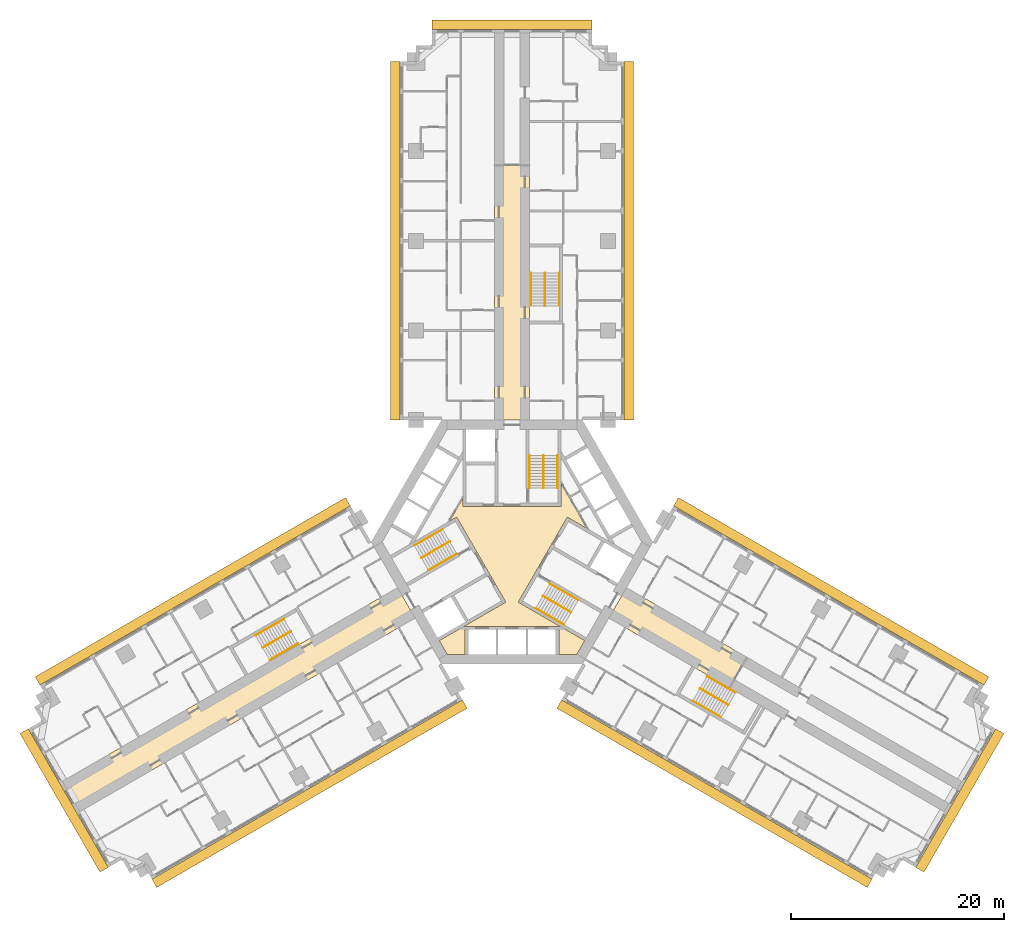
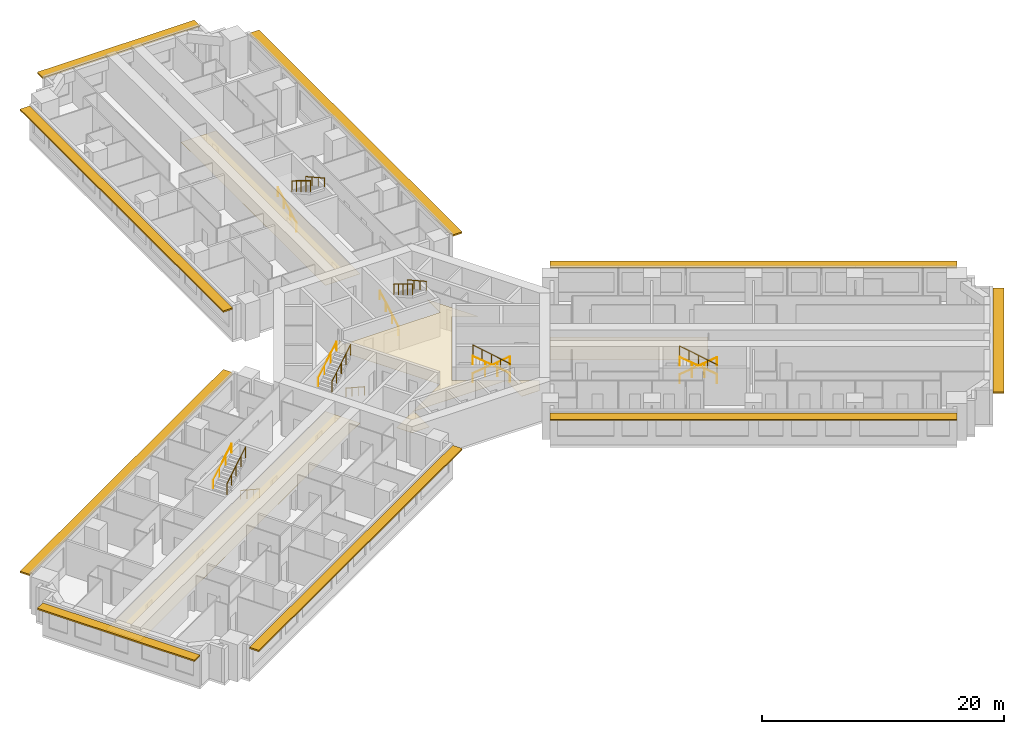
# One storey, part 14 of 14: 18 railings, 4 coverings, 3 shading devices.
"""IFC4 building model written with IfcOpenShell, lengths in metres."""

import ifcopenshell
import ifcopenshell.guid

model = None  # the IFC model being written
_history = None  # IfcOwnerHistory: only IFC2X3 demands one
_inside = {}  # id of a spatial element -> (the spatial element, [elements in it])
_under = {}  # id of a project, library or spatial element -> (it, [spatial elements below it])
_declared = {}  # id of a project -> (the project, [libraries it declares])
_typed = {}  # id of a type object -> (the type object, [elements of that type])
_made_of = {}  # id of a material, layer set ... -> (it, [elements and type objects made of it])


def new_model(schema):
    """Start an empty IFC model of exactly this schema.

    Asked for "IFC4X3", IfcOpenShell would pick the latest addendum, in which some entities
    have other attributes; the version numbers below select the first issue.
    IFC2X3 requires an IfcOwnerHistory on every rooted entity: one is made here for all.
    """
    global model, _history
    if schema == "IFC4X3":
        model = ifcopenshell.file(schema_version=(4, 3, 0, 0))
    else:
        model = ifcopenshell.file(schema=schema)
    _inside.clear()
    _under.clear()
    _declared.clear()
    _typed.clear()
    _made_of.clear()
    _history = None
    if model.schema == "IFC2X3":
        org = make("IfcOrganization", Name="unknown")
        user = make(
            "IfcPersonAndOrganization",
            ThePerson=make("IfcPerson", FamilyName="unknown"),
            TheOrganization=org,
        )
        app = make(
            "IfcApplication",
            ApplicationDeveloper=org,
            Version="unknown",
            ApplicationFullName="unknown",
            ApplicationIdentifier="unknown",
        )
        _history = make(
            "IfcOwnerHistory",
            OwningUser=user,
            OwningApplication=app,
            ChangeAction="ADDED",
            CreationDate=0,
        )
    return model


def make(cls, **values):
    """One entity of the class cls with the attributes given. An attribute that is None is left unset."""
    return model.create_entity(
        cls, **{name: value for name, value in values.items() if value is not None}
    )


def rooted(cls, **values):
    """An entity with a GlobalId (a new one), such as an element, a storey or a relation."""
    return make(cls, GlobalId=ifcopenshell.guid.new(), OwnerHistory=_history, **values)


def si_unit(unit_type, name, prefix=None):
    """IfcSIUnit, for example si_unit("LENGTHUNIT", "METRE", prefix="MILLI")."""
    return make("IfcSIUnit", UnitType=unit_type, Prefix=prefix, Name=name)


def assignment(units):
    """IfcUnitAssignment: the units of a project."""
    return None if units is None else make("IfcUnitAssignment", Units=units)


def point(xyz):
    """IfcCartesianPoint."""
    return None if xyz is None else make("IfcCartesianPoint", Coordinates=xyz)


def direction(xyz):
    """IfcDirection."""
    return None if xyz is None else make("IfcDirection", DirectionRatios=xyz)


def frame(location, z_axis=None, x_axis=None):
    """IfcAxis2Placement3D, a coordinate frame: its origin and axes. An axis left out is left unset."""
    return make(
        "IfcAxis2Placement3D",
        Location=point(location),
        Axis=direction(z_axis),
        RefDirection=direction(x_axis),
    )


def frame_2d(location, x_axis=None):
    """IfcAxis2Placement2D, a coordinate frame in the plane: its origin and x axis."""
    return make(
        "IfcAxis2Placement2D", Location=point(location), RefDirection=direction(x_axis)
    )


def origin():
    """The frame at (0, 0, 0) with its axes left unset."""
    return frame((0.0, 0.0, 0.0))


def origin_2d():
    """The frame at (0, 0) in the plane with its x axis left unset."""
    return frame_2d((0.0, 0.0))


def place(relative_to, where):
    """IfcLocalPlacement: puts the frame where relative to a parent placement (None: the world)."""
    return make(
        "IfcLocalPlacement", PlacementRelTo=relative_to, RelativePlacement=where
    )


def context(
    kind, dimensions, precision=None, world=None, true_north=None, identifier=None
):
    """IfcGeometricRepresentationContext, for example the 3D "Model" context."""
    return make(
        "IfcGeometricRepresentationContext",
        ContextIdentifier=identifier,
        ContextType=kind,
        CoordinateSpaceDimension=dimensions,
        Precision=precision,
        WorldCoordinateSystem=world,
        TrueNorth=true_north,
    )


def subcontext(parent, identifier, kind, view, scale=None):
    """IfcGeometricRepresentationSubContext, for example "Body" below "Model"."""
    return make(
        "IfcGeometricRepresentationSubContext",
        ContextIdentifier=identifier,
        ContextType=kind,
        ParentContext=parent,
        TargetScale=scale,
        TargetView=view,
    )


def project(units=None, contexts=None):
    """IfcProject with its units and contexts."""
    return rooted(
        "IfcProject",
        Name="project",
        RepresentationContexts=contexts,
        UnitsInContext=assignment(units),
    )


def spatial(cls, under=None, at=None, **own):
    """A site, building, storey or space (cls), placed at a placement, below another one or the project."""
    s = rooted(cls, ObjectPlacement=at, **own)
    if under is not None:
        _under.setdefault(under.id(), (under, []))[1].append(s)
    return s


def polyline(points):
    """IfcPolyline through the points."""
    return make("IfcPolyline", Points=[point(p) for p in points])


def profile(cls, at=None, kind="AREA", **sizes):
    """A parametric profile (cls). Its sizes go by their IFC names, for example OverallWidth=200.0."""
    return make(cls, ProfileType=kind, Position=at, **sizes)


def rectangle(**sizes):
    """IfcRectangleProfileDef."""
    return profile("IfcRectangleProfileDef", **sizes)


def circle(**sizes):
    """IfcCircleProfileDef."""
    return profile("IfcCircleProfileDef", **sizes)


def outline(outer, holes=None, kind="AREA"):
    """IfcArbitraryClosedProfileDef: a profile drawn as a closed curve; with holes, ...WithVoids."""
    if holes is None:
        return make("IfcArbitraryClosedProfileDef", ProfileType=kind, OuterCurve=outer)
    return make(
        "IfcArbitraryProfileDefWithVoids",
        ProfileType=kind,
        OuterCurve=outer,
        InnerCurves=holes,
    )


def extrude(swept, where, along, depth):
    """IfcExtrudedAreaSolid: the profile swept, set in the frame where, extruded along a direction by depth."""
    return make(
        "IfcExtrudedAreaSolid",
        SweptArea=swept,
        Position=where,
        ExtrudedDirection=direction(along),
        Depth=depth,
    )


def shape(context_of_items, identifier, shape_type, items):
    """IfcShapeRepresentation: the items that make up one representation, for example the "Body"."""
    return make(
        "IfcShapeRepresentation",
        ContextOfItems=context_of_items,
        RepresentationIdentifier=identifier,
        RepresentationType=shape_type,
        Items=items,
    )


def material(Name=None, Category=None):
    """IfcMaterial."""
    return make("IfcMaterial", Name=Name, Category=Category)


def layer(
    of_material, thickness, ventilated=None, Name=None, Category=None, Priority=None
):
    """IfcMaterialLayer: one layer of a wall or slab, of a material (None: an air gap)."""
    return make(
        "IfcMaterialLayer",
        Material=of_material,
        LayerThickness=thickness,
        IsVentilated=ventilated,
        Name=Name,
        Category=Category,
        Priority=Priority,
    )


def layer_set(layers, Name=None):
    """IfcMaterialLayerSet."""
    return make("IfcMaterialLayerSet", MaterialLayers=layers, LayerSetName=Name)


def made_of(thing, what):
    """Note that an element or type object is made of a material, layer set ...; save() writes the relation."""
    if what is not None:
        _made_of.setdefault(what.id(), (what, []))[1].append(thing)
    return thing


def type_object(cls, material=None, **own):
    """A type object (cls), such as IfcWallType, which elements share."""
    return made_of(rooted(cls, **own), material)


def element(
    cls,
    number,
    at=None,
    inside=None,
    cuts=None,
    type_object=None,
    material=None,
    context=None,
    identifier="Body",
    shape_type=None,
    held_by="IfcProductDefinitionShape",
    body=None,
    shapes=None,
    **own,
):
    """One element of the class cls, such as IfcWall. Its Tag is "e" and its number.

    at: its placement. inside: the storey or other place that contains it. cuts: it is an
    opening in that element (IfcRelVoidsElement). A single representation is given by context,
    identifier, shape_type and body (its items); several are given by shapes. held_by: the class
    of the entity that holds the representations. save() writes the other relations.
    """
    e = rooted(cls, Tag="e%d" % number, ObjectPlacement=at, **own)
    if body is not None:
        shapes = [shape(context, identifier, shape_type, body)]
    if shapes is not None:
        e.Representation = make(held_by, Representations=shapes)
    if inside is not None:
        _inside.setdefault(inside.id(), (inside, []))[1].append(e)
    if cuts is not None:
        rooted(
            "IfcRelVoidsElement", RelatingBuildingElement=cuts, RelatedOpeningElement=e
        )
    if type_object is not None:
        _typed.setdefault(type_object.id(), (type_object, []))[1].append(e)
    return made_of(e, material)


def aggregate(whole, parts):
    """IfcRelAggregates: a whole, such as a stair, and the parts it consists of."""
    return rooted("IfcRelAggregates", RelatingObject=whole, RelatedObjects=parts)


def save(model, path):
    """Write the relations noted so far, then the file.

    IfcRelAggregates (storeys below a building ...), IfcRelContainedInSpatialStructure (elements
    in a storey), IfcRelDefinesByType, IfcRelAssociatesMaterial and IfcRelDeclares: one each for
    every whole, place, type object, material and project.
    """
    for whole, parts in _under.values():
        aggregate(whole, parts)
    for where, things in _inside.values():
        rooted(
            "IfcRelContainedInSpatialStructure",
            RelatedElements=things,
            RelatingStructure=where,
        )
    for kind, things in _typed.values():
        rooted("IfcRelDefinesByType", RelatedObjects=things, RelatingType=kind)
    for what, things in _made_of.values():
        rooted("IfcRelAssociatesMaterial", RelatedObjects=things, RelatingMaterial=what)
    for by, libraries in _declared.values():
        rooted("IfcRelDeclares", RelatingContext=by, RelatedDefinitions=libraries)
    model.write(path)


model = new_model("IFC4")

# Units and contexts
model_context = context("Model", 3, precision=1e-05, world=origin(), true_north=direction((0.0, 1.0)))
body_context = subcontext(model_context, "Body", "Model", "MODEL_VIEW")
ifc_project = project(units=[si_unit("LENGTHUNIT", "METRE"), si_unit("AREAUNIT", "SQUARE_METRE"), si_unit("VOLUMEUNIT", "CUBIC_METRE"), si_unit("PLANEANGLEUNIT", "RADIAN"), si_unit("MASSUNIT", "GRAM", prefix="KILO")], contexts=[model_context])

# Site, building, storey
site_placement = place(None, origin())
site = spatial("IfcSite", under=ifc_project, at=site_placement, CompositionType="ELEMENT")
building_placement = place(site_placement, origin())
building = spatial("IfcBuilding", under=site, at=building_placement, Name="Impinga Residences", CompositionType="ELEMENT")
storey_placement = place(building_placement, frame((0.0, 0.0, 89.75)))
storey = spatial("IfcBuildingStorey", under=building, at=storey_placement, Name="L22", CompositionType="ELEMENT", Elevation=89.75)

# Coverings
ifc_material_1 = material(Name="Plasterboard 15 mm on steel hangers", Category="steel")
ifc_layer_1 = layer(ifc_material_1, 0.014892578125)
ifc_layer_set_1 = layer_set([ifc_layer_1], Name="Plasterboard 15 mm on steel hangers")
covering_type_1 = type_object("IfcCoveringType", Name="CL1 corridor ceiling, 15 mm plasterboard on hangers", PredefinedType="CEILING", material=ifc_layer_set_1)
covering_1_placement = place(storey_placement, frame((0.0, 0.0, 2.39990234375)))
element("IfcCovering", 1, at=covering_1_placement, inside=storey, type_object=covering_type_1, Name="Corridor ceiling CL1 L22-N00", PredefinedType="CEILING", context=body_context, shape_type="SweptSolid", body=[
    extrude(outline(polyline([(1.64990234375, 11.431640625), (-1.64990234375, 11.431640625), (-1.64990234375, 35.281982421875), (1.64990234375, 35.281982421875), (1.64990234375, 11.431640625)])), origin(), (0.0, 0.0, 1.0), 0.01513671875),
])
covering_2_placement = place(storey_placement, frame((0.0, 0.0, 2.39990234375)))
element("IfcCovering", 2, at=covering_2_placement, inside=storey, type_object=covering_type_1, Name="Corridor ceiling CL1 L22-W00", PredefinedType="CEILING", context=body_context, shape_type="SweptSolid", body=[
    extrude(outline(polyline([(-9.074951171875, -7.144775390625), (-10.72509765625, -4.286865234375), (-42.16162109375, -22.436767578125), (-40.51171875, -25.294677734375), (-9.074951171875, -7.144775390625)])), origin(), (0.0, 0.0, 1.0), 0.01513671875),
])
covering_3_placement = place(storey_placement, frame((0.0, 0.0, 2.39990234375)))
element("IfcCovering", 3, at=covering_3_placement, inside=storey, type_object=covering_type_1, Name="Corridor ceiling CL1 L22-E00", PredefinedType="CEILING", context=body_context, shape_type="SweptSolid", body=[
    extrude(outline(polyline([(9.074951171875, -7.144775390625), (10.72509765625, -4.286865234375), (21.999267578125, -10.796142578125), (20.349365234375, -13.654052734375), (9.074951171875, -7.144775390625)])), origin(), (0.0, 0.0, 1.0), 0.01513671875),
])
ifc_material_2 = material(Name="Mineral fibre tiles 20 mm on exposed grid", Category="mineral fibre")
ifc_layer_2 = layer(ifc_material_2, 0.02001953125)
ifc_layer_set_2 = layer_set([ifc_layer_2], Name="CL2 lift lobby ceiling, 20 mm mineral fibre tiles")
covering_type_2 = type_object("IfcCoveringType", Name="CL2 lift lobby ceiling, 20 mm mineral fibre tiles", PredefinedType="CEILING", material=ifc_layer_set_2)
covering_4_placement = place(storey_placement, frame((0.0, 0.0, 2.39990234375)))
element("IfcCovering", 4, at=covering_4_placement, inside=storey, type_object=covering_type_2, Name="Lift lobby ceiling CL2 L22-C01", PredefinedType="CEILING", context=body_context, shape_type="SweptSolid", body=[
    extrude(outline(polyline([(6.080322265625, -10.531494140625), (4.39990234375, -10.531494140625), (4.39990234375, -7.931640625), (-4.39990234375, -7.931640625), (-4.39990234375, -10.531494140625), (-6.080322265625, -10.531494140625), (-6.820556640625, -9.24951171875), (-0.583984375, -5.648681640625), (-5.183837890625, 2.318603515625), (-5.846923828125, 1.935791015625), (-4.60009765625, 4.095703125), (-4.60009765625, 3.330078125), (4.60009765625, 3.330078125), (4.60009765625, 5.49560546875), (7.059326171875, 1.23583984375), (5.183837890625, 2.318603515625), (0.583984375, -5.648681640625), (6.820556640625, -9.24951171875), (6.080322265625, -10.531494140625)])), origin(), (0.0, 0.0, 1.0), 0.02001953125),
])

# Railings
ifc_material_3 = material(Name="Steel guard, powder coated", Category="steel")
railing_type_1 = type_object("IfcRailingType", Name="GR1 stair guard 1100", PredefinedType="GUARDRAIL", material=ifc_material_3)
railing_1_placement = place(storey_placement, frame((2.949951171875, 8.110107421875, 1.875)))
element("IfcRailing", 5, at=railing_1_placement, inside=storey, type_object=railing_type_1, Name="Stair guard GR1 ST1 L22", PredefinedType="GUARDRAIL", context=body_context, shape_type="SweptSolid", body=[
    extrude(circle(Radius=0.02392578125, at=origin_2d()), frame((0.0, 0.0, 1.076171875), z_axis=(0.0, -0.854177636135, 0.519981313056), x_axis=(1.0, 0.0, 0.0)), (0.0, 0.0, 1.0), 3.60595703125),
    extrude(circle(Radius=0.02099609375, at=origin_2d()), origin(), (0.0, 0.0, 1.0), 1.052001953125),
    extrude(circle(Radius=0.02099609375, at=origin_2d()), frame((0.0, -0.77001953125, 0.46875)), (0.0, 0.0, 1.0), 1.052001953125),
    extrude(circle(Radius=0.02099609375, at=origin_2d()), frame((0.0, -1.5400390625, 0.9375)), (0.0, 0.0, 1.0), 1.052001953125),
    extrude(circle(Radius=0.02099609375, at=origin_2d()), frame((0.0, -2.31005859375, 1.40625)), (0.0, 0.0, 1.0), 1.052001953125),
    extrude(circle(Radius=0.02099609375, at=origin_2d()), frame((0.0, -3.080078125, 1.875)), (0.0, 0.0, 1.0), 1.052001953125),
])
railing_2_placement = place(storey_placement, frame((-8.49853515625, -1.500244140625, 1.875)))
element("IfcRailing", 6, at=railing_2_placement, inside=storey, type_object=railing_type_1, Name="Stair guard GR1 ST2 L22", PredefinedType="GUARDRAIL", context=body_context, shape_type="SweptSolid", body=[
    extrude(circle(Radius=0.02392578125, at=origin_2d()), frame((0.0, 0.0, 1.076171875), z_axis=(0.739746383972, 0.427084037168, 0.519975492303), x_axis=(-0.499992328818, 0.866029832698, 0.0)), (0.0, 0.0, 1.0), 3.60595703125),
    extrude(circle(Radius=0.02099609375, at=origin_2d()), origin(), (0.0, 0.0, 1.0), 1.052001953125),
    extrude(circle(Radius=0.02099609375, at=origin_2d()), frame((0.6669921875, 0.385009765625, 0.46875)), (0.0, 0.0, 1.0), 1.052001953125),
    extrude(circle(Radius=0.02099609375, at=origin_2d()), frame((1.333740234375, 0.77001953125, 0.9375)), (0.0, 0.0, 1.0), 1.052001953125),
    extrude(circle(Radius=0.02099609375, at=origin_2d()), frame((2.00048828125, 1.155029296875, 1.40625)), (0.0, 0.0, 1.0), 1.052001953125),
    extrude(circle(Radius=0.02099609375, at=origin_2d()), frame((2.66748046875, 1.5400390625, 1.875)), (0.0, 0.0, 1.0), 1.052001953125),
])
railing_3_placement = place(storey_placement, frame((5.548583984375, -6.60986328125, 1.875)))
element("IfcRailing", 7, at=railing_3_placement, inside=storey, type_object=railing_type_1, Name="Stair guard GR1 ST3 L22", PredefinedType="GUARDRAIL", context=body_context, shape_type="SweptSolid", body=[
    extrude(circle(Radius=0.02392578125, at=origin_2d()), frame((0.0, 0.0, 1.076171875), z_axis=(-0.739746383972, 0.427084037168, 0.519975492303), x_axis=(-0.499992328818, -0.866029832698, 0.0)), (0.0, 0.0, 1.0), 3.60595703125),
    extrude(circle(Radius=0.02099609375, at=origin_2d()), origin(), (0.0, 0.0, 1.0), 1.052001953125),
    extrude(circle(Radius=0.02099609375, at=origin_2d()), frame((-0.6669921875, 0.385009765625, 0.46875)), (0.0, 0.0, 1.0), 1.052001953125),
    extrude(circle(Radius=0.02099609375, at=origin_2d()), frame((-1.333740234375, 0.77001953125, 0.9375)), (0.0, 0.0, 1.0), 1.052001953125),
    extrude(circle(Radius=0.02099609375, at=origin_2d()), frame((-2.00048828125, 1.155029296875, 1.40625)), (0.0, 0.0, 1.0), 1.052001953125),
    extrude(circle(Radius=0.02099609375, at=origin_2d()), frame((-2.66748046875, 1.5400390625, 1.875)), (0.0, 0.0, 1.0), 1.052001953125),
])
railing_4_placement = place(storey_placement, frame((3.10009765625, 25.21142578125, 1.875)))
element("IfcRailing", 8, at=railing_4_placement, inside=storey, type_object=railing_type_1, Name="Stair guard GR1 WS1 L22", PredefinedType="GUARDRAIL", context=body_context, shape_type="SweptSolid", body=[
    extrude(circle(Radius=0.02392578125, at=origin_2d()), frame((0.0, 0.0, 1.076171875), z_axis=(0.0, -0.854159328187, 0.520011386482), x_axis=(1.0, 0.0, 0.0)), (0.0, 0.0, 1.0), 3.605712890625),
    extrude(circle(Radius=0.02099609375, at=origin_2d()), origin(), (0.0, 0.0, 1.0), 1.052001953125),
    extrude(circle(Radius=0.02099609375, at=origin_2d()), frame((0.0, -0.77001953125, 0.46875)), (0.0, 0.0, 1.0), 1.052001953125),
    extrude(circle(Radius=0.02099609375, at=origin_2d()), frame((0.0, -1.5400390625, 0.9375)), (0.0, 0.0, 1.0), 1.052001953125),
    extrude(circle(Radius=0.02099609375, at=origin_2d()), frame((0.0, -2.309814453125, 1.40625)), (0.0, 0.0, 1.0), 1.052001953125),
    extrude(circle(Radius=0.02099609375, at=origin_2d()), frame((0.0, -3.079833984375, 1.875)), (0.0, 0.0, 1.0), 1.052001953125),
])
railing_5_placement = place(storey_placement, frame((-23.3837890625, -9.921142578125, 1.875)))
element("IfcRailing", 9, at=railing_5_placement, inside=storey, type_object=railing_type_1, Name="Stair guard GR1 WS2 L22", PredefinedType="GUARDRAIL", context=body_context, shape_type="SweptSolid", body=[
    extrude(circle(Radius=0.02392578125, at=origin_2d()), frame((0.0, 0.0, 1.076171875), z_axis=(0.739715726454, 0.427105428144, 0.52000153585), x_axis=(-0.500026652407, 0.866010015463, 0.0)), (0.0, 0.0, 1.0), 3.605712890625),
    extrude(circle(Radius=0.02099609375, at=origin_2d()), origin(), (0.0, 0.0, 1.0), 1.052001953125),
    extrude(circle(Radius=0.02099609375, at=origin_2d()), frame((0.666748046875, 0.385009765625, 0.46875)), (0.0, 0.0, 1.0), 1.052001953125),
    extrude(circle(Radius=0.02099609375, at=origin_2d()), frame((1.33349609375, 0.77001953125, 0.9375)), (0.0, 0.0, 1.0), 1.052001953125),
    extrude(circle(Radius=0.02099609375, at=origin_2d()), frame((2.00048828125, 1.155029296875, 1.40625)), (0.0, 0.0, 1.0), 1.052001953125),
    extrude(circle(Radius=0.02099609375, at=origin_2d()), frame((2.667236328125, 1.5400390625, 1.875)), (0.0, 0.0, 1.0), 1.052001953125),
])
railing_6_placement = place(storey_placement, frame((20.283935546875, -15.29052734375, 1.875)))
element("IfcRailing", 10, at=railing_6_placement, inside=storey, type_object=railing_type_1, Name="Stair guard GR1 WS3 L22", PredefinedType="GUARDRAIL", context=body_context, shape_type="SweptSolid", body=[
    extrude(circle(Radius=0.02392578125, at=origin_2d()), frame((0.0, 0.0, 1.076171875), z_axis=(-0.739746383972, 0.427084037168, 0.519975492303), x_axis=(-0.499992328818, -0.866029832698, 0.0)), (0.0, 0.0, 1.0), 3.60595703125),
    extrude(circle(Radius=0.02099609375, at=origin_2d()), origin(), (0.0, 0.0, 1.0), 1.052001953125),
    extrude(circle(Radius=0.02099609375, at=origin_2d()), frame((-0.6669921875, 0.385009765625, 0.46875)), (0.0, 0.0, 1.0), 1.052001953125),
    extrude(circle(Radius=0.02099609375, at=origin_2d()), frame((-1.333740234375, 0.77001953125, 0.9375)), (0.0, 0.0, 1.0), 1.052001953125),
    extrude(circle(Radius=0.02099609375, at=origin_2d()), frame((-2.00048828125, 1.155029296875, 1.40625)), (0.0, 0.0, 1.0), 1.052001953125),
    extrude(circle(Radius=0.02099609375, at=origin_2d()), frame((-2.66748046875, 1.5400390625, 1.875)), (0.0, 0.0, 1.0), 1.052001953125),
])
ifc_material_4 = material(Name="Steel handrail tube 42 mm, powder coated", Category="steel")
railing_type_2 = type_object("IfcRailingType", Name="HR1 stair handrail, 42 mm steel tube, 900 above the pitch line", PredefinedType="HANDRAIL", material=ifc_material_4)
railing_7_placement = place(storey_placement, frame((1.62109375, 5.030029296875, 0.15625)))
element("IfcRailing", 11, at=railing_7_placement, inside=storey, type_object=railing_type_2, Name="Stair handrail HR1 ST1 L22", PredefinedType="HANDRAIL", context=body_context, shape_type="SweptSolid", body=[
    extrude(circle(Radius=0.02099609375, at=origin_2d()), frame((0.0, 0.0, 0.87890625), z_axis=(0.0, 0.873241540666, 0.487287606713), x_axis=(-1.0, 0.0, 0.0)), (0.0, 0.0, 1.0), 3.527099609375),
    extrude(circle(Radius=0.012451171875, at=origin_2d()), origin(), (0.0, 0.0, 1.0), 0.85791015625),
    extrude(circle(Radius=0.012451171875, at=origin_2d()), frame((0.0, 1.026611328125, 0.572998046875)), (0.0, 0.0, 1.0), 0.85791015625),
    extrude(circle(Radius=0.012451171875, at=origin_2d()), frame((0.0, 2.053466796875, 1.145751953125)), (0.0, 0.0, 1.0), 0.85791015625),
    extrude(circle(Radius=0.012451171875, at=origin_2d()), frame((0.0, 3.080078125, 1.71875)), (0.0, 0.0, 1.0), 0.85791015625),
])
railing_8_placement = place(storey_placement, frame((4.279052734375, 8.110107421875, 2.03125)))
element("IfcRailing", 12, at=railing_8_placement, inside=storey, type_object=railing_type_2, Name="Stair handrail HR1 ST1 L22", PredefinedType="HANDRAIL", context=body_context, shape_type="SweptSolid", body=[
    extrude(circle(Radius=0.02099609375, at=origin_2d()), frame((0.0, 0.0, 0.87890625), z_axis=(0.0, -0.873241540666, 0.487287606713), x_axis=(1.0, 0.0, 0.0)), (0.0, 0.0, 1.0), 3.527099609375),
    extrude(circle(Radius=0.012451171875, at=origin_2d()), origin(), (0.0, 0.0, 1.0), 0.85791015625),
    extrude(circle(Radius=0.012451171875, at=origin_2d()), frame((0.0, -1.026611328125, 0.572998046875)), (0.0, 0.0, 1.0), 0.85791015625),
    extrude(circle(Radius=0.012451171875, at=origin_2d()), frame((0.0, -2.053466796875, 1.145751953125)), (0.0, 0.0, 1.0), 0.85791015625),
    extrude(circle(Radius=0.012451171875, at=origin_2d()), frame((0.0, -3.080078125, 1.71875)), (0.0, 0.0, 1.0), 0.85791015625),
])
railing_9_placement = place(storey_placement, frame((-5.16650390625, -1.111083984375, 0.15625)))
element("IfcRailing", 13, at=railing_9_placement, inside=storey, type_object=railing_type_2, Name="Stair handrail HR1 ST2 L22", PredefinedType="HANDRAIL", context=body_context, shape_type="SweptSolid", body=[
    extrude(circle(Radius=0.02099609375, at=origin_2d()), frame((0.0, 0.0, 0.87890625), z_axis=(-0.756255980417, -0.436615662133, 0.487281905742), x_axis=(0.499992328818, -0.866029832698, 0.0)), (0.0, 0.0, 1.0), 3.527099609375),
    extrude(circle(Radius=0.012451171875, at=origin_2d()), origin(), (0.0, 0.0, 1.0), 0.85791015625),
    extrude(circle(Radius=0.012451171875, at=origin_2d()), frame((-0.88916015625, -0.513427734375, 0.572998046875)), (0.0, 0.0, 1.0), 0.85791015625),
    extrude(circle(Radius=0.012451171875, at=origin_2d()), frame((-1.7783203125, -1.026611328125, 1.145751953125)), (0.0, 0.0, 1.0), 0.85791015625),
    extrude(circle(Radius=0.012451171875, at=origin_2d()), frame((-2.66748046875, -1.5400390625, 1.71875)), (0.0, 0.0, 1.0), 0.85791015625),
])
railing_10_placement = place(storey_placement, frame((-9.1630859375, -0.349365234375, 2.03125)))
element("IfcRailing", 14, at=railing_10_placement, inside=storey, type_object=railing_type_2, Name="Stair handrail HR1 ST2 L22", PredefinedType="HANDRAIL", context=body_context, shape_type="SweptSolid", body=[
    extrude(circle(Radius=0.02099609375, at=origin_2d()), frame((0.0, 0.0, 0.87890625), z_axis=(0.756255980417, 0.436615662133, 0.487281905742), x_axis=(-0.499992328818, 0.866029832698, 0.0)), (0.0, 0.0, 1.0), 3.527099609375),
    extrude(circle(Radius=0.012451171875, at=origin_2d()), origin(), (0.0, 0.0, 1.0), 0.85791015625),
    extrude(circle(Radius=0.012451171875, at=origin_2d()), frame((0.88916015625, 0.513427734375, 0.572998046875)), (0.0, 0.0, 1.0), 0.85791015625),
    extrude(circle(Radius=0.012451171875, at=origin_2d()), frame((1.7783203125, 1.026611328125, 1.145751953125)), (0.0, 0.0, 1.0), 0.85791015625),
    extrude(circle(Radius=0.012451171875, at=origin_2d()), frame((2.66748046875, 1.5400390625, 1.71875)), (0.0, 0.0, 1.0), 0.85791015625),
])
railing_11_placement = place(storey_placement, frame((3.545654296875, -3.9189453125, 0.15625)))
element("IfcRailing", 15, at=railing_11_placement, inside=storey, type_object=railing_type_2, Name="Stair handrail HR1 ST3 L22", PredefinedType="HANDRAIL", context=body_context, shape_type="SweptSolid", body=[
    extrude(circle(Radius=0.02099609375, at=origin_2d()), frame((0.0, 0.0, 0.87890625), z_axis=(0.756249203677, -0.436582492228, 0.487322141317), x_axis=(0.499967199496, 0.866044340336, 0.0)), (0.0, 0.0, 1.0), 3.52685546875),
    extrude(circle(Radius=0.012451171875, at=origin_2d()), origin(), (0.0, 0.0, 1.0), 0.85791015625),
    extrude(circle(Radius=0.012451171875, at=origin_2d()), frame((0.88916015625, -0.51318359375, 0.572998046875)), (0.0, 0.0, 1.0), 0.85791015625),
    extrude(circle(Radius=0.012451171875, at=origin_2d()), frame((1.778076171875, -1.026611328125, 1.145751953125)), (0.0, 0.0, 1.0), 0.85791015625),
    extrude(circle(Radius=0.012451171875, at=origin_2d()), frame((2.667236328125, -1.539794921875, 1.71875)), (0.0, 0.0, 1.0), 0.85791015625),
])
railing_12_placement = place(storey_placement, frame((4.884033203125, -7.7607421875, 2.03125)))
element("IfcRailing", 16, at=railing_12_placement, inside=storey, type_object=railing_type_2, Name="Stair handrail HR1 ST3 L22", PredefinedType="HANDRAIL", context=body_context, shape_type="SweptSolid", body=[
    extrude(circle(Radius=0.02099609375, at=origin_2d()), frame((0.0, 0.0, 0.87890625), z_axis=(-0.756255980417, 0.436615662133, 0.487281905742), x_axis=(-0.499992328818, -0.866029832698, 0.0)), (0.0, 0.0, 1.0), 3.527099609375),
    extrude(circle(Radius=0.012451171875, at=origin_2d()), origin(), (0.0, 0.0, 1.0), 0.85791015625),
    extrude(circle(Radius=0.012451171875, at=origin_2d()), frame((-0.88916015625, 0.513427734375, 0.572998046875)), (0.0, 0.0, 1.0), 0.85791015625),
    extrude(circle(Radius=0.012451171875, at=origin_2d()), frame((-1.7783203125, 1.026611328125, 1.145751953125)), (0.0, 0.0, 1.0), 0.85791015625),
    extrude(circle(Radius=0.012451171875, at=origin_2d()), frame((-2.66748046875, 1.5400390625, 1.71875)), (0.0, 0.0, 1.0), 0.85791015625),
])
railing_13_placement = place(storey_placement, frame((1.77099609375, 22.131591796875, 0.15625)))
element("IfcRailing", 17, at=railing_13_placement, inside=storey, type_object=railing_type_2, Name="Stair handrail HR1 WS1 L22", PredefinedType="HANDRAIL", context=body_context, shape_type="SweptSolid", body=[
    extrude(circle(Radius=0.02099609375, at=origin_2d()), frame((0.0, 0.0, 0.87890625), z_axis=(0.0, 0.873225103656, 0.487317061414), x_axis=(-1.0, 0.0, 0.0)), (0.0, 0.0, 1.0), 3.52685546875),
    extrude(circle(Radius=0.012451171875, at=origin_2d()), origin(), (0.0, 0.0, 1.0), 0.85791015625),
    extrude(circle(Radius=0.012451171875, at=origin_2d()), frame((0.0, 1.026611328125, 0.572998046875)), (0.0, 0.0, 1.0), 0.85791015625),
    extrude(circle(Radius=0.012451171875, at=origin_2d()), frame((0.0, 2.05322265625, 1.145751953125)), (0.0, 0.0, 1.0), 0.85791015625),
    extrude(circle(Radius=0.012451171875, at=origin_2d()), frame((0.0, 3.079833984375, 1.71875)), (0.0, 0.0, 1.0), 0.85791015625),
])
railing_14_placement = place(storey_placement, frame((4.428955078125, 25.21142578125, 2.03125)))
element("IfcRailing", 18, at=railing_14_placement, inside=storey, type_object=railing_type_2, Name="Stair handrail HR1 WS1 L22", PredefinedType="HANDRAIL", context=body_context, shape_type="SweptSolid", body=[
    extrude(circle(Radius=0.02099609375, at=origin_2d()), frame((0.0, 0.0, 0.87890625), z_axis=(0.0, -0.873225103656, 0.487317061414), x_axis=(1.0, 0.0, 0.0)), (0.0, 0.0, 1.0), 3.52685546875),
    extrude(circle(Radius=0.012451171875, at=origin_2d()), origin(), (0.0, 0.0, 1.0), 0.85791015625),
    extrude(circle(Radius=0.012451171875, at=origin_2d()), frame((0.0, -1.026611328125, 0.572998046875)), (0.0, 0.0, 1.0), 0.85791015625),
    extrude(circle(Radius=0.012451171875, at=origin_2d()), frame((0.0, -2.05322265625, 1.145751953125)), (0.0, 0.0, 1.0), 0.85791015625),
    extrude(circle(Radius=0.012451171875, at=origin_2d()), frame((0.0, -3.079833984375, 1.71875)), (0.0, 0.0, 1.0), 0.85791015625),
])
railing_15_placement = place(storey_placement, frame((-20.052001953125, -9.531982421875, 0.15625)))
element("IfcRailing", 19, at=railing_15_placement, inside=storey, type_object=railing_type_2, Name="Stair handrail HR1 WS2 L22", PredefinedType="HANDRAIL", context=body_context, shape_type="SweptSolid", body=[
    extrude(circle(Radius=0.02099609375, at=origin_2d()), frame((0.0, 0.0, 0.87890625), z_axis=(-0.756226348243, -0.436638517594, 0.487307413422), x_axis=(0.500026652407, -0.866010015463, 0.0)), (0.0, 0.0, 1.0), 3.527099609375),
    extrude(circle(Radius=0.012451171875, at=origin_2d()), origin(), (0.0, 0.0, 1.0), 0.85791015625),
    extrude(circle(Radius=0.012451171875, at=origin_2d()), frame((-0.88916015625, -0.513427734375, 0.572998046875)), (0.0, 0.0, 1.0), 0.85791015625),
    extrude(circle(Radius=0.012451171875, at=origin_2d()), frame((-1.778076171875, -1.026611328125, 1.145751953125)), (0.0, 0.0, 1.0), 0.85791015625),
    extrude(circle(Radius=0.012451171875, at=origin_2d()), frame((-2.667236328125, -1.5400390625, 1.71875)), (0.0, 0.0, 1.0), 0.85791015625),
])
railing_16_placement = place(storey_placement, frame((-24.04833984375, -8.77001953125, 2.03125)))
element("IfcRailing", 20, at=railing_16_placement, inside=storey, type_object=railing_type_2, Name="Stair handrail HR1 WS2 L22", PredefinedType="HANDRAIL", context=body_context, shape_type="SweptSolid", body=[
    extrude(circle(Radius=0.02099609375, at=origin_2d()), frame((0.0, 0.0, 0.87890625), z_axis=(0.756278834354, 0.436559638319, 0.487296631324), x_axis=(-0.499932877268, 0.866064153644, 0.0)), (0.0, 0.0, 1.0), 3.527099609375),
    extrude(circle(Radius=0.012451171875, at=origin_2d()), origin(), (0.0, 0.0, 1.0), 0.85791015625),
    extrude(circle(Radius=0.012451171875, at=origin_2d()), frame((0.88916015625, 0.51318359375, 0.572998046875)), (0.0, 0.0, 1.0), 0.85791015625),
    extrude(circle(Radius=0.012451171875, at=origin_2d()), frame((1.7783203125, 1.026611328125, 1.145751953125)), (0.0, 0.0, 1.0), 0.85791015625),
    extrude(circle(Radius=0.012451171875, at=origin_2d()), frame((2.66748046875, 1.539794921875, 1.71875)), (0.0, 0.0, 1.0), 0.85791015625),
])
railing_17_placement = place(storey_placement, frame((18.281005859375, -12.599609375, 0.15625)))
element("IfcRailing", 21, at=railing_17_placement, inside=storey, type_object=railing_type_2, Name="Stair handrail HR1 WS3 L22", PredefinedType="HANDRAIL", context=body_context, shape_type="SweptSolid", body=[
    extrude(circle(Radius=0.02099609375, at=origin_2d()), frame((0.0, 0.0, 0.87890625), z_axis=(0.756249203677, -0.436582492228, 0.487322141317), x_axis=(0.499967199496, 0.866044340336, 0.0)), (0.0, 0.0, 1.0), 3.52685546875),
    extrude(circle(Radius=0.012451171875, at=origin_2d()), origin(), (0.0, 0.0, 1.0), 0.85791015625),
    extrude(circle(Radius=0.012451171875, at=origin_2d()), frame((0.88916015625, -0.51318359375, 0.572998046875)), (0.0, 0.0, 1.0), 0.85791015625),
    extrude(circle(Radius=0.012451171875, at=origin_2d()), frame((1.778076171875, -1.026611328125, 1.145751953125)), (0.0, 0.0, 1.0), 0.85791015625),
    extrude(circle(Radius=0.012451171875, at=origin_2d()), frame((2.667236328125, -1.539794921875, 1.71875)), (0.0, 0.0, 1.0), 0.85791015625),
])
railing_18_placement = place(storey_placement, frame((19.619384765625, -16.44140625, 2.03125)))
element("IfcRailing", 22, at=railing_18_placement, inside=storey, type_object=railing_type_2, Name="Stair handrail HR1 WS3 L22", PredefinedType="HANDRAIL", context=body_context, shape_type="SweptSolid", body=[
    extrude(circle(Radius=0.02099609375, at=origin_2d()), frame((0.0, 0.0, 0.87890625), z_axis=(-0.756255980417, 0.436615662133, 0.487281905742), x_axis=(-0.499992328818, -0.866029832698, 0.0)), (0.0, 0.0, 1.0), 3.527099609375),
    extrude(circle(Radius=0.012451171875, at=origin_2d()), origin(), (0.0, 0.0, 1.0), 0.85791015625),
    extrude(circle(Radius=0.012451171875, at=origin_2d()), frame((-0.88916015625, 0.513427734375, 0.572998046875)), (0.0, 0.0, 1.0), 0.85791015625),
    extrude(circle(Radius=0.012451171875, at=origin_2d()), frame((-1.7783203125, 1.026611328125, 1.145751953125)), (0.0, 0.0, 1.0), 0.85791015625),
    extrude(circle(Radius=0.012451171875, at=origin_2d()), frame((-2.66748046875, 1.5400390625, 1.71875)), (0.0, 0.0, 1.0), 0.85791015625),
])

# Shading devices
ifc_material_5 = material(Name="Terracotta sunshade blades on aluminium brackets", Category="masonry")
ifc_layer_3 = layer(ifc_material_5, 0.14990234375)
ifc_layer_set_3 = layer_set([ifc_layer_3], Name="SS1 SUNSHADE terracotta sunshade band 900")
shading_device_type = type_object("IfcShadingDeviceType", Name="SS1 SUNSHADE terracotta sunshade band 900", PredefinedType="USERDEFINED", material=ifc_layer_set_3)
shading_device_1_placement = place(storey_placement, frame((-10.949951171875, 28.2314453125, 3.10009765625), z_axis=(0.0, 0.0, 1.0), x_axis=(0.0, 1.0, 0.0)))
element("IfcShadingDevice", 23, at=shading_device_1_placement, inside=storey, type_object=shading_device_type, Name="SUNSHADE band L22 NORTH WING", ObjectType="SUNSHADE", PredefinedType="USERDEFINED", context=body_context, shape_type="SweptSolid", body=[
    extrude(rectangle(XDim=33.60009765625, YDim=0.89990234375, at=origin_2d()), origin(), (0.0, 0.0, 1.0), 0.14990234375),
    extrude(rectangle(XDim=15.0, YDim=0.89990234375, at=origin_2d()), frame((20.25, -10.949951171875, 0.0), z_axis=(0.0, 0.0, 1.0), x_axis=(0.0, -1.0, 0.0)), (0.0, 0.0, 1.0), 0.14990234375),
    extrude(rectangle(XDim=33.60009765625, YDim=0.89990234375, at=origin_2d()), frame((0.0, -21.89990234375, 0.0), z_axis=(0.0, 0.0, 1.0), x_axis=(-1.0, 0.0, 0.0)), (0.0, 0.0, 1.0), 0.14990234375),
])
shading_device_2_placement = place(storey_placement, frame((-41.986328125, -24.24072265625, 3.10009765625), z_axis=(0.0, 0.0, 1.0), x_axis=(-0.5, 0.866025403784, 0.0)))
element("IfcShadingDevice", 24, at=shading_device_2_placement, inside=storey, type_object=shading_device_type, Name="SUNSHADE band L22 WEST WING", ObjectType="SUNSHADE", PredefinedType="USERDEFINED", context=body_context, shape_type="SweptSolid", body=[
    extrude(rectangle(XDim=15.0, YDim=0.89990234375, at=origin_2d()), origin(), (0.0, 0.0, 1.0), 0.14990234375),
    extrude(rectangle(XDim=33.60009765625, YDim=0.89990234375, at=origin_2d()), frame((10.949951171875, -20.25, 0.0), z_axis=(0.0, 0.0, 1.0), x_axis=(0.0, -1.0, 0.0)), (0.0, 0.0, 1.0), 0.14990234375),
    extrude(rectangle(XDim=33.60009765625, YDim=0.89990234375, at=origin_2d()), frame((-10.949951171875, -20.250244140625, 0.0), z_axis=(0.0, 0.0, 1.0), x_axis=(0.0, 1.0, 0.0)), (0.0, 0.0, 1.0), 0.14990234375),
])
shading_device_3_placement = place(storey_placement, frame((29.92431640625, -4.6328125, 3.10009765625), z_axis=(0.0, 0.0, 1.0), x_axis=(0.866025403784, -0.5, 0.0)))
element("IfcShadingDevice", 25, at=shading_device_3_placement, inside=storey, type_object=shading_device_type, Name="SUNSHADE band L22 EAST WING", ObjectType="SUNSHADE", PredefinedType="USERDEFINED", context=body_context, shape_type="SweptSolid", body=[
    extrude(rectangle(XDim=33.60009765625, YDim=0.89990234375, at=origin_2d()), origin(), (0.0, 0.0, 1.0), 0.14990234375),
    extrude(rectangle(XDim=15.0, YDim=0.89990234375, at=origin_2d()), frame((20.25, -10.949951171875, 0.0), z_axis=(0.0, 0.0, 1.0), x_axis=(0.0, -1.0, 0.0)), (0.0, 0.0, 1.0), 0.14990234375),
    extrude(rectangle(XDim=33.60009765625, YDim=0.89990234375, at=origin_2d()), frame((-0.000244140625, -21.89990234375, 0.0), z_axis=(0.0, 0.0, 1.0), x_axis=(-1.0, 0.0, 0.0)), (0.0, 0.0, 1.0), 0.14990234375),
])

save(model, "model.ifc")
